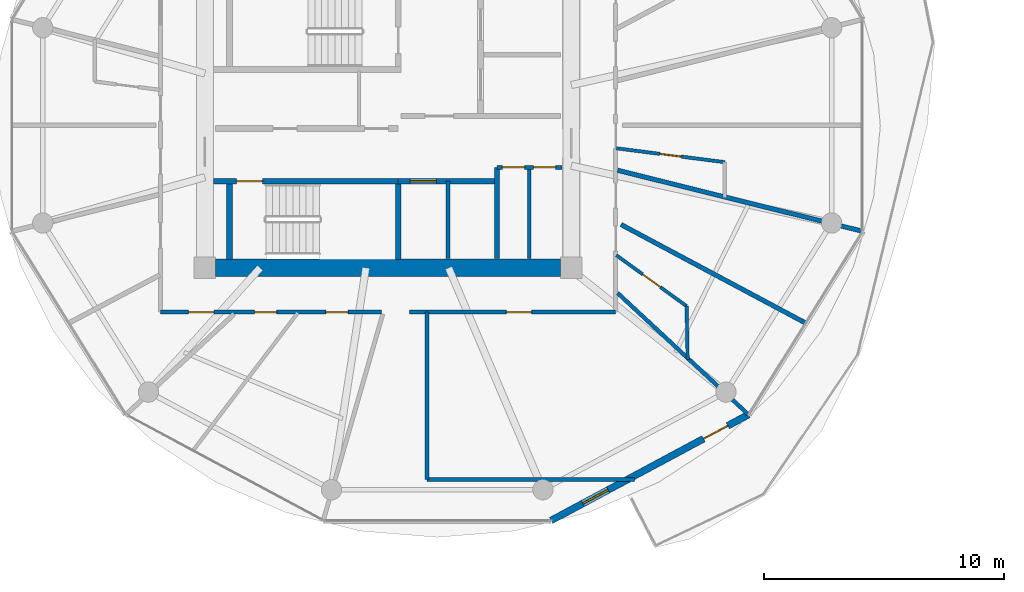
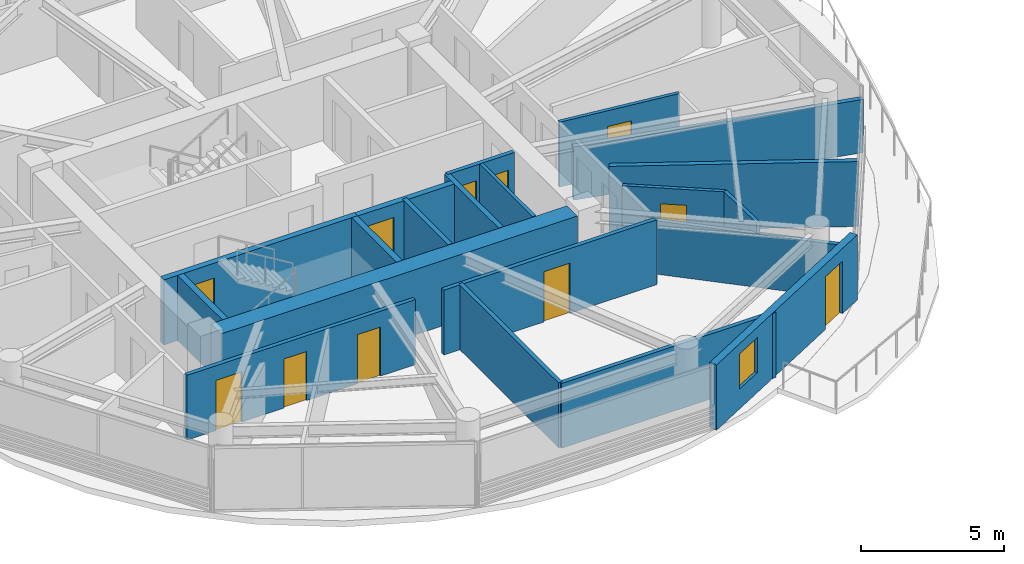
# One storey, part 13 of 22: 20 walls, 11 doors, 1 window, 12 openings.
"""IFC4 building model written with IfcOpenShell, lengths in metres."""

from ifc_helpers import new_model, si_unit, direction, frame, frame_2d, origin, place, context, subcontext, project, spatial, rectangle, extrude, source, transform, mapped, material, layer, layer_set, type_object, type_shapes, element, fill, save


model = new_model("IFC4")

# Units and contexts
model_context = context("Model", 3, precision=1e-05, world=origin(), true_north=direction((0.0, 1.0)))
body_context = subcontext(model_context, "Body", "Model", "MODEL_VIEW")
ifc_project = project(units=[si_unit("LENGTHUNIT", "METRE"), si_unit("AREAUNIT", "SQUARE_METRE"), si_unit("VOLUMEUNIT", "CUBIC_METRE"), si_unit("PLANEANGLEUNIT", "RADIAN"), si_unit("MASSUNIT", "GRAM", prefix="KILO")], contexts=[model_context])

# Site, building, storey
site_placement = place(None, origin())
site = spatial("IfcSite", under=ifc_project, at=site_placement, CompositionType="ELEMENT")
building_placement = place(site_placement, origin())
building = spatial("IfcBuilding", under=site, at=building_placement, Name="Norrkilde Senior Care Towers", CompositionType="ELEMENT")
storey_placement = place(building_placement, frame((0.0, 0.0, 123.699951171875)))
storey = spatial("IfcBuildingStorey", under=building, at=storey_placement, Name="L38", CompositionType="ELEMENT", Elevation=123.699951171875)

# Wall
ifc_material_1 = material(Name="Concrete C60/75", Category="concrete")
ifc_layer_1 = layer(ifc_material_1, 0.719970703125)
ifc_layer_set_1 = layer_set([ifc_layer_1], Name="Concrete C60/75")
wall_type_1 = type_object("IfcWallType", Name="Core Shear Wall Z2 720", PredefinedType="SHEAR", material=ifc_layer_set_1)
shared_shape_1 = source(origin(), body_context, "Body", "SweptSolid", [
    extrude(rectangle(XDim=14.39990234375, YDim=0.719970703125, at=frame_2d((7.199951171875, 0.0))), origin(), (0.0, 0.0, 1.0), 2.7900390625),
])
type_shapes(wall_type_1, [shared_shape_1])
wall_1_placement = place(storey_placement, frame((-20.800048828125, -5.949951171875, 0.0), z_axis=(0.0, 0.0, 1.0), x_axis=(-1.0, 0.0, 0.0)))
element("IfcWall", 1, at=wall_1_placement, inside=storey, type_object=wall_type_1, Name="L38 Core W South Shear Wall", PredefinedType="SHEAR", context=body_context, shape_type="MappedRepresentation", body=[
    mapped(shared_shape_1, transform((0.0, 0.0, 0.0), x_axis=(1.0, 0.0, 0.0), y_axis=(0.0, 1.0, 0.0), z_axis=(0.0, 0.0, 1.0), scale=1.0)),
])

# Wall, openings, door, window
ifc_material_2 = material(Name="Precast concrete C45/55", Category="concrete")
ifc_layer_2 = layer(ifc_material_2, 0.2900390625)
ifc_layer_set_2 = layer_set([ifc_layer_2], Name="Precast concrete C45/55")
wall_type_2 = type_object("IfcWallType", Name="Winter Garden Facade Wall 290", PredefinedType="SOLIDWALL", material=ifc_layer_set_2)
shared_shape_2 = source(origin(), body_context, "Body", "SweptSolid", [
    extrude(rectangle(XDim=9.3505859375, YDim=0.2900390625, at=frame_2d((4.67529296875, 0.0))), origin(), (0.0, 0.0, 1.0), 2.7900390625),
])
type_shapes(wall_type_2, [shared_shape_2])
wall_2_placement = place(storey_placement, frame((-12.953369140625, -12.077392578125, 0.0), z_axis=(0.0, 0.0, 1.0), x_axis=(-0.881184411073, -0.472772708267, 0.0)))
wall_2 = element("IfcWall", 2, at=wall_2_placement, inside=storey, type_object=wall_type_2, Name="L38 Drum W Balcony Access Wall 09", PredefinedType="SOLIDWALL", context=body_context, shape_type="MappedRepresentation", body=[
    mapped(shared_shape_2, transform((0.0, 0.0, 0.0), x_axis=(1.0, 0.0, 0.0), y_axis=(0.0, 1.0, 0.0), z_axis=(0.0, 0.0, 1.0), scale=1.0)),
])
opening_1_placement = place(wall_2_placement, frame((0.97998046875, 0.0, 0.0)))
opening_1 = element("IfcOpeningElement", 3, at=opening_1_placement, cuts=wall_2, Name="Opening D-09", PredefinedType="OPENING", context=body_context, shape_type="SweptSolid", body=[
    extrude(rectangle(XDim=1.14990234375, YDim=2.25, at=frame_2d((0.574951171875, 1.125))), frame((0.0, 0.155029296875, 0.0), z_axis=(0.0, -1.0, 0.0), x_axis=(1.0, 0.0, 0.0)), (0.0, 0.0, 1.0), 0.31005859375),
])
opening_2_placement = place(wall_2_placement, frame((6.645263671875, 0.0, 0.85009765625)))
opening_2 = element("IfcOpeningElement", 4, at=opening_2_placement, cuts=wall_2, Name="Opening WN-07", PredefinedType="OPENING", context=body_context, shape_type="SweptSolid", body=[
    extrude(rectangle(XDim=1.199951171875, YDim=1.5, at=frame_2d((0.60009765625, 0.75))), frame((0.0, 0.155029296875, 0.0), z_axis=(0.0, -1.0, 0.0), x_axis=(1.0, 0.0, 0.0)), (0.0, 0.0, 1.0), 0.31005859375),
])
ifc_material_3 = material(Name="Anodised Aluminium", Category="aluminium")
door_type_1 = type_object("IfcDoorType", Name="Terrace and Balcony Glazed Door 1150x2250", OperationType="NOTDEFINED", PredefinedType="DOOR", material=ifc_material_3)
shared_shape_3 = source(origin(), body_context, "Body", "SweptSolid", [
    extrude(rectangle(XDim=1.14990234375, YDim=2.25, at=frame_2d((0.574951171875, 1.125))), frame((0.0, 0.02490234375, 0.0), z_axis=(0.0, -1.0, 0.0), x_axis=(1.0, 0.0, 0.0)), (0.0, 0.0, 1.0), 0.050048828125),
])
type_shapes(door_type_1, [shared_shape_3])
door_1_placement = place(opening_1_placement, origin())
door_1 = element("IfcDoor", 5, at=door_1_placement, inside=storey, type_object=door_type_1, Name="L38 Drum W Outdoor Terrace Door 09", OperationType="SINGLE_SWING_RIGHT", OverallHeight=2.25, OverallWidth=1.14990234375, PredefinedType="DOOR", context=body_context, shape_type="MappedRepresentation", body=[
    mapped(shared_shape_3, transform((0.0, 0.0, 0.0), x_axis=(1.0, 0.0, 0.0), y_axis=(0.0, 1.0, 0.0), z_axis=(0.0, 0.0, 1.0), scale=1.0)),
])
fill(opening_1, door_1)
ifc_material_4 = material(Name="Triple Low-E Insulated Glazing", Category="glass")
window_type = type_object("IfcWindowType", Name="Stairwell Smoke Vent Window 1200x1500", PartitioningType="SINGLE_PANEL", PredefinedType="WINDOW", material=ifc_material_4)
shared_shape_4 = source(origin(), body_context, "Body", "SweptSolid", [
    extrude(rectangle(XDim=1.199951171875, YDim=1.5, at=frame_2d((0.60009765625, 0.75))), frame((0.0, 0.030029296875, 0.0), z_axis=(0.0, -1.0, 0.0), x_axis=(1.0, 0.0, 0.0)), (0.0, 0.0, 1.0), 0.06005859375),
])
type_shapes(window_type, [shared_shape_4])
window_placement = place(opening_2_placement, origin())
window = element("IfcWindow", 6, at=window_placement, inside=storey, type_object=window_type, Name="L38 Drum W Winter Garden Window 09", OverallHeight=1.5, OverallWidth=1.199951171875, PartitioningType="SINGLE_PANEL", PredefinedType="WINDOW", context=body_context, shape_type="MappedRepresentation", body=[
    mapped(shared_shape_4, transform((0.0, 0.0, 0.0), x_axis=(1.0, 0.0, 0.0), y_axis=(0.0, 1.0, 0.0), z_axis=(0.0, 0.0, 1.0), scale=1.0)),
])
fill(opening_2, window)

# Wall
ifc_material_5 = material(Name="Concrete C45/55", Category="concrete")
ifc_layer_3 = layer(ifc_material_5, 0.199951171875)
ifc_layer_set_3 = layer_set([ifc_layer_3], Name="Concrete C45/55")
wall_type_3 = type_object("IfcWallType", Name="Shaft Division and Plant Partition 200", PredefinedType="PARTITIONING", material=ifc_layer_set_3)
shared_shape_5 = source(origin(), body_context, "Body", "SweptSolid", [
    extrude(rectangle(XDim=3.800048828125, YDim=0.199951171875, at=frame_2d((1.89990234375, 0.0))), origin(), (0.0, 0.0, 1.0), 2.775146484375),
])
type_shapes(wall_type_3, [shared_shape_5])
wall_3_placement = place(storey_placement, frame((-23.449951171875, -5.550048828125, 0.0), z_axis=(0.0, 0.0, 1.0), x_axis=(0.0, 1.0, 0.0)))
element("IfcWall", 7, at=wall_3_placement, inside=storey, type_object=wall_type_3, Name="WL-INT-L38-W-PKBE", PredefinedType="PARTITIONING", context=body_context, shape_type="MappedRepresentation", body=[
    mapped(shared_shape_5, transform((0.0, 0.0, 0.0), x_axis=(1.0, 0.0, 0.0), y_axis=(0.0, 1.0, 0.0), z_axis=(0.0, 0.0, 1.0), scale=1.0)),
])

# Wall, opening, door
ifc_layer_4 = layer(ifc_material_5, 0.239990234375)
ifc_layer_set_4 = layer_set([ifc_layer_4], Name="Concrete C45/55")
wall_type_4 = type_object("IfcWallType", Name="Lift and Plant Rated Enclosure Partition 240", PredefinedType="PARTITIONING", material=ifc_layer_set_4)
shared_shape_6 = source(origin(), body_context, "Body", "SweptSolid", [
    extrude(rectangle(XDim=4.130126953125, YDim=0.239990234375, at=frame_2d((2.06494140625, 0.0))), origin(), (0.0, 0.0, 1.0), 2.775146484375),
])
type_shapes(wall_type_4, [shared_shape_6])
wall_4_placement = place(storey_placement, frame((-27.580078125, -2.330078125, 0.0), z_axis=(0.0, 0.0, 1.0), x_axis=(1.0, 0.0, 0.0)))
wall_4 = element("IfcWall", 8, at=wall_4_placement, inside=storey, type_object=wall_type_4, Name="WL-INT-L38-W-PKBN", PredefinedType="PARTITIONING", context=body_context, shape_type="MappedRepresentation", body=[
    mapped(shared_shape_6, transform((0.0, 0.0, 0.0), x_axis=(1.0, 0.0, 0.0), y_axis=(0.0, 1.0, 0.0), z_axis=(0.0, 0.0, 1.0), scale=1.0)),
])
opening_3_placement = place(wall_4_placement, frame((0.5, 0.0, 0.0)))
opening_3 = element("IfcOpeningElement", 9, at=opening_3_placement, cuts=wall_4, Name="Opening LD-01", PredefinedType="OPENING", context=body_context, shape_type="SweptSolid", body=[
    extrude(rectangle(XDim=1.10009765625, YDim=2.199951171875, at=frame_2d((0.550048828125, 1.10009765625))), frame((0.0, 0.1298828125, 0.0), z_axis=(0.0, -1.0, 0.0), x_axis=(1.0, 0.0, 0.0)), (0.0, 0.0, 1.0), 0.260009765625),
])
ifc_material_6 = material(Name="Stainless Steel", Category="steel")
door_type_2 = type_object("IfcDoorType", Name="Lift Landing Sliding Door 1100x2200", OperationType="NOTDEFINED", PredefinedType="DOOR", material=ifc_material_6)
shared_shape_7 = source(origin(), body_context, "Body", "SweptSolid", [
    extrude(rectangle(XDim=1.10009765625, YDim=2.199951171875, at=frame_2d((0.550048828125, 1.10009765625))), frame((0.0, 0.02490234375, 0.0), z_axis=(0.0, -1.0, 0.0), x_axis=(1.0, 0.0, 0.0)), (0.0, 0.0, 1.0), 0.050048828125),
])
type_shapes(door_type_2, [shared_shape_7])
door_2_placement = place(opening_3_placement, frame((1.10009765625, 0.0, 0.0), z_axis=(0.0, 0.0, 1.0), x_axis=(-1.0, 0.0, 0.0)))
door_2 = element("IfcDoor", 10, at=door_2_placement, inside=storey, type_object=door_type_2, Name="L38 Passenger Lift W3 Landing Door", OperationType="SLIDING_TO_LEFT", OverallHeight=2.199951171875, OverallWidth=1.10009765625, PredefinedType="DOOR", context=body_context, shape_type="MappedRepresentation", body=[
    mapped(shared_shape_7, transform((0.0, 0.0, 0.0), x_axis=(1.0, 0.0, 0.0), y_axis=(0.0, 1.0, 0.0), z_axis=(0.0, 0.0, 1.0), scale=1.0)),
])
fill(opening_3, door_2)

# Wall
ifc_layer_5 = layer(ifc_material_5, 0.179931640625)
ifc_layer_set_5 = layer_set([ifc_layer_5], Name="Concrete C45/55")
wall_type_5 = type_object("IfcWallType", Name="Hoistway Division Rated Partition 180", PredefinedType="PARTITIONING", material=ifc_layer_set_5)
shared_shape_8 = source(origin(), body_context, "Body", "SweptSolid", [
    extrude(rectangle(XDim=3.219970703125, YDim=0.179931640625, at=frame_2d((1.60986328125, 0.0))), origin(), (0.0, 0.0, 1.0), 2.775146484375),
])
type_shapes(wall_type_5, [shared_shape_8])
wall_5_placement = place(storey_placement, frame((-25.5, -5.550048828125, 0.0), z_axis=(0.0, 0.0, 1.0), x_axis=(0.0, 1.0, 0.0)))
element("IfcWall", 11, at=wall_5_placement, inside=storey, type_object=wall_type_5, Name="WL-INT-L38-W-PL34", PredefinedType="PARTITIONING", context=body_context, shape_type="MappedRepresentation", body=[
    mapped(shared_shape_8, transform((0.0, 0.0, 0.0), x_axis=(1.0, 0.0, 0.0), y_axis=(0.0, 1.0, 0.0), z_axis=(0.0, 0.0, 1.0), scale=1.0)),
])

# Wall, openings, doors
ifc_material_7 = material(Name="Gypsum Acoustic Board")
ifc_layer_6 = layer(ifc_material_7, 0.1650390625)
ifc_layer_set_6 = layer_set([ifc_layer_6], Name="Gypsum Acoustic Board")
wall_type_6 = type_object("IfcWallType", Name="Corridor Rated Partition 165", PredefinedType="PARTITIONING", material=ifc_layer_set_6)
shared_shape_9 = source(origin(), body_context, "Body", "SweptSolid", [
    extrude(rectangle(XDim=2.699951171875, YDim=0.1650390625, at=frame_2d((1.35009765625, 0.0))), origin(), (0.0, 0.0, 1.0), 2.775146484375),
])
wall_6_placement = place(storey_placement, frame((-23.449951171875, -1.75, 0.0), z_axis=(0.0, 0.0, 1.0), x_axis=(1.0, 0.0, 0.0)))
wall_6 = element("IfcWall", 12, at=wall_6_placement, inside=storey, type_object=wall_type_6, Name="WL-INT-L38-W-CSN", PredefinedType="PARTITIONING", context=body_context, shape_type="MappedRepresentation", body=[
    mapped(shared_shape_9, transform((0.0, 0.0, 0.0), x_axis=(1.0, 0.0, 0.0), y_axis=(0.0, 1.0, 0.0), z_axis=(0.0, 0.0, 1.0), scale=1.0)),
])
opening_4_placement = place(wall_6_placement, frame((0.222412109375, 0.0, 0.0)))
opening_4 = element("IfcOpeningElement", 13, at=opening_4_placement, cuts=wall_6, Name="Opening D-12", PredefinedType="OPENING", context=body_context, shape_type="SweptSolid", body=[
    extrude(rectangle(XDim=0.925048828125, YDim=2.10009765625, at=frame_2d((0.46240234375, 1.050048828125))), frame((0.0, 0.092529296875, 0.0), z_axis=(0.0, -1.0, 0.0), x_axis=(1.0, 0.0, 0.0)), (0.0, 0.0, 1.0), 0.18505859375),
])
opening_5_placement = place(wall_6_placement, frame((1.5224609375, 0.0, 0.0)))
opening_5 = element("IfcOpeningElement", 14, at=opening_5_placement, cuts=wall_6, Name="Opening D-12", PredefinedType="OPENING", context=body_context, shape_type="SweptSolid", body=[
    extrude(rectangle(XDim=0.925048828125, YDim=2.10009765625, at=frame_2d((0.46240234375, 1.050048828125))), frame((0.0, 0.092529296875, 0.0), z_axis=(0.0, -1.0, 0.0), x_axis=(1.0, 0.0, 0.0)), (0.0, 0.0, 1.0), 0.18505859375),
])
ifc_material_8 = material(Name="Galvanised Painted Steel", Category="steel")
door_type_3 = type_object("IfcDoorType", Name="Core Wet Room Rated Door 925x2100", OperationType="NOTDEFINED", PredefinedType="DOOR", material=ifc_material_8)
shared_shape_10 = source(origin(), body_context, "Body", "SweptSolid", [
    extrude(rectangle(XDim=0.925048828125, YDim=2.10009765625, at=frame_2d((0.46240234375, 1.050048828125))), frame((0.0, 0.02490234375, 0.0), z_axis=(0.0, -1.0, 0.0), x_axis=(1.0, 0.0, 0.0)), (0.0, 0.0, 1.0), 0.050048828125),
])
type_shapes(door_type_3, [shared_shape_10])
door_3_placement = place(opening_4_placement, origin())
door_3 = element("IfcDoor", 15, at=door_3_placement, inside=storey, type_object=door_type_3, Name="L38 Staff Accessible WC W Door", OperationType="SINGLE_SWING_LEFT", OverallHeight=2.10009765625, OverallWidth=0.925048828125, PredefinedType="DOOR", context=body_context, shape_type="MappedRepresentation", body=[
    mapped(shared_shape_10, transform((0.0, 0.0, 0.0), x_axis=(1.0, 0.0, 0.0), y_axis=(0.0, 1.0, 0.0), z_axis=(0.0, 0.0, 1.0), scale=1.0)),
])
fill(opening_4, door_3)
door_4_placement = place(opening_5_placement, origin())
door_4 = element("IfcDoor", 16, at=door_4_placement, inside=storey, type_object=door_type_3, Name="L38 Housekeeping Store W Door", OperationType="SINGLE_SWING_RIGHT", OverallHeight=2.10009765625, OverallWidth=0.925048828125, PredefinedType="DOOR", context=body_context, shape_type="MappedRepresentation", body=[
    mapped(shared_shape_10, transform((0.0, 0.0, 0.0), x_axis=(1.0, 0.0, 0.0), y_axis=(0.0, 1.0, 0.0), z_axis=(0.0, 0.0, 1.0), scale=1.0)),
])
fill(opening_5, door_4)

# Wall, opening, door
ifc_layer_7 = layer(ifc_material_5, 0.239990234375)
ifc_layer_set_7 = layer_set([ifc_layer_7], Name="Concrete C45/55")
wall_type_7 = type_object("IfcWallType", Name="Shaft and Stair Enclosure Wall 240", PredefinedType="PARTITIONING", material=ifc_layer_set_7)
shared_shape_11 = source(origin(), body_context, "Body", "SweptSolid", [
    extrude(rectangle(XDim=7.830078125, YDim=0.239990234375, at=frame_2d((3.9150390625, 0.0))), origin(), (0.0, 0.0, 1.0), 2.7900390625),
])
wall_7_placement = place(storey_placement, frame((-35.2900390625, -2.330078125, 0.0), z_axis=(0.0, 0.0, 1.0), x_axis=(1.0, 0.0, 0.0)))
wall_7 = element("IfcWall", 17, at=wall_7_placement, inside=storey, type_object=wall_type_7, Name="WL-INT-L38-W-ST2N", PredefinedType="PARTITIONING", context=body_context, shape_type="MappedRepresentation", body=[
    mapped(shared_shape_11, transform((0.0, 0.0, 0.0), x_axis=(1.0, 0.0, 0.0), y_axis=(0.0, 1.0, 0.0), z_axis=(0.0, 0.0, 1.0), scale=1.0)),
])
opening_6_placement = place(wall_7_placement, frame((0.949951171875, 0.0, 0.0)))
opening_6 = element("IfcOpeningElement", 18, at=opening_6_placement, cuts=wall_7, Name="Opening D-03", PredefinedType="OPENING", context=body_context, shape_type="SweptSolid", body=[
    extrude(rectangle(XDim=1.10009765625, YDim=2.14990234375, at=frame_2d((0.550048828125, 1.074951171875))), frame((0.0, 0.1298828125, 0.0), z_axis=(0.0, -1.0, 0.0), x_axis=(1.0, 0.0, 0.0)), (0.0, 0.0, 1.0), 0.260009765625),
])
door_type_4 = type_object("IfcDoorType", Name="Stairwell Protected Fire Door 1100x2150", OperationType="NOTDEFINED", PredefinedType="DOOR", material=ifc_material_8)
shared_shape_12 = source(origin(), body_context, "Body", "SweptSolid", [
    extrude(rectangle(XDim=1.10009765625, YDim=2.14990234375, at=frame_2d((0.550048828125, 1.074951171875))), frame((0.0, 0.02490234375, 0.0), z_axis=(0.0, -1.0, 0.0), x_axis=(1.0, 0.0, 0.0)), (0.0, 0.0, 1.0), 0.050048828125),
])
type_shapes(door_type_4, [shared_shape_12])
door_5_placement = place(opening_6_placement, frame((1.10009765625, 0.0, 0.0), z_axis=(0.0, 0.0, 1.0), x_axis=(-1.0, 0.0, 0.0)))
door_5 = element("IfcDoor", 19, at=door_5_placement, inside=storey, type_object=door_type_4, Name="L38 Stair W2 Fire Door", OperationType="SINGLE_SWING_RIGHT", OverallHeight=2.14990234375, OverallWidth=1.10009765625, PredefinedType="DOOR", context=body_context, shape_type="MappedRepresentation", body=[
    mapped(shared_shape_12, transform((0.0, 0.0, 0.0), x_axis=(1.0, 0.0, 0.0), y_axis=(0.0, 1.0, 0.0), z_axis=(0.0, 0.0, 1.0), scale=1.0)),
])
fill(opening_6, door_5)

# Walls
shared_shape_13 = source(origin(), body_context, "Body", "SweptSolid", [
    extrude(rectangle(XDim=3.14013671875, YDim=0.239990234375, at=frame_2d((1.570068359375, 0.0))), origin(), (0.0, 0.0, 1.0), 2.7900390625),
])
type_shapes(wall_type_7, [shared_shape_11, shared_shape_13])
for number, where, z_axis, x_axis, name in (
    (20, (-34.6201171875, -5.590087890625, 0.0), (0.0, 0.0, 1.0), (0.0, 1.0, 0.0), "WL-INT-L38-W-ST2W"),
    (21, (-27.580078125, -5.590087890625, 0.0), (0.0, 0.0, 1.0), (0.0, 1.0, 0.0), "WL-INT-L38-W-ST2E"),
):
    element("IfcWall", number, at=place(storey_placement, frame(where, z_axis=z_axis, x_axis=x_axis)), inside=storey, type_object=wall_type_7, Name=name, PredefinedType="PARTITIONING", context=body_context, shape_type="MappedRepresentation", body=[
        mapped(shared_shape_13, transform((0.0, 0.0, 0.0), x_axis=(1.0, 0.0, 0.0), y_axis=(0.0, 1.0, 0.0), z_axis=(0.0, 0.0, 1.0), scale=1.0)),
    ])
ifc_layer_8 = layer(ifc_material_7, 0.18994140625)
ifc_layer_set_8 = layer_set([ifc_layer_8], Name="Gypsum Acoustic Board")
wall_type_8 = type_object("IfcWallType", Name="Unit Demising Acoustic Wall 190", PredefinedType="PARTITIONING", material=ifc_layer_set_8)
shared_shape_14 = source(origin(), body_context, "Body", "SweptSolid", [
    extrude(rectangle(XDim=10.5556640625, YDim=0.18994140625, at=frame_2d((5.27783203125, 0.0))), origin(), (0.0, 0.0, 1.0), 2.275146484375),
])
wall_8_placement = place(storey_placement, frame((-18.419921875, -1.875, 0.0), z_axis=(0.0, 0.0, 1.0), x_axis=(0.970363857851, -0.241648470667, 0.0)))
element("IfcWall", 22, at=wall_8_placement, inside=storey, type_object=wall_type_8, Name="WL-INT-L38-W-DEM-11-0", PredefinedType="PARTITIONING", context=body_context, shape_type="MappedRepresentation", body=[
    mapped(shared_shape_14, transform((0.0, 0.0, 0.0), x_axis=(1.0, 0.0, 0.0), y_axis=(0.0, 1.0, 0.0), z_axis=(0.0, 0.0, 1.0), scale=1.0)),
])
ifc_layer_9 = layer(ifc_material_7, 0.139892578125)
ifc_layer_set_9 = layer_set([ifc_layer_9], Name="Gypsum Acoustic Board")
wall_type_9 = type_object("IfcWallType", Name="En-suite Wet Room Wall 140", PredefinedType="PARTITIONING", material=ifc_layer_set_9)
shared_shape_15 = source(origin(), body_context, "Body", "SweptSolid", [
    extrude(rectangle(XDim=3.800048828125, YDim=0.139892578125, at=frame_2d((1.89990234375, 0.0))), origin(), (0.0, 0.0, 1.0), 2.775146484375),
])
wall_9_placement = place(storey_placement, frame((-22.10009765625, -5.550048828125, 0.0), z_axis=(0.0, 0.0, 1.0), x_axis=(0.0, 1.0, 0.0)))
element("IfcWall", 23, at=wall_9_placement, inside=storey, type_object=wall_type_9, Name="WL-INT-L38-W-CS1V", PredefinedType="PARTITIONING", context=body_context, shape_type="MappedRepresentation", body=[
    mapped(shared_shape_15, transform((0.0, 0.0, 0.0), x_axis=(1.0, 0.0, 0.0), y_axis=(0.0, 1.0, 0.0), z_axis=(0.0, 0.0, 1.0), scale=1.0)),
])

# Wall, opening, door
shared_shape_16 = source(origin(), body_context, "Body", "SweptSolid", [
    extrude(rectangle(XDim=8.60009765625, YDim=0.1650390625, at=frame_2d((4.300048828125, 0.0))), origin(), (0.0, 0.0, 1.0), 2.775146484375),
])
wall_10_placement = place(storey_placement, frame((-18.5, -7.800048828125, 0.0), z_axis=(0.0, 0.0, 1.0), x_axis=(-1.0, 0.0, 0.0)))
wall_10 = element("IfcWall", 24, at=wall_10_placement, inside=storey, type_object=wall_type_6, Name="WL-INT-L38-W-CRW-S-0", PredefinedType="PARTITIONING", context=body_context, shape_type="MappedRepresentation", body=[
    mapped(shared_shape_16, transform((0.0, 0.0, 0.0), x_axis=(1.0, 0.0, 0.0), y_axis=(0.0, 1.0, 0.0), z_axis=(0.0, 0.0, 1.0), scale=1.0)),
])
opening_7_placement = place(wall_10_placement, frame((3.509033203125, 0.0, 0.0)))
opening_7 = element("IfcOpeningElement", 25, at=opening_7_placement, cuts=wall_10, Name="Opening D-06", PredefinedType="OPENING", context=body_context, shape_type="SweptSolid", body=[
    extrude(rectangle(XDim=1.050048828125, YDim=2.14990234375, at=frame_2d((0.52490234375, 1.074951171875))), frame((0.0, 0.092529296875, 0.0), z_axis=(0.0, -1.0, 0.0), x_axis=(1.0, 0.0, 0.0)), (0.0, 0.0, 1.0), 0.18505859375),
])
ifc_material_9 = material(Name="Nordic Ash Timber", Category="wood")
door_type_5 = type_object("IfcDoorType", Name="Apartment Entrance Fire Door 1050x2150", OperationType="NOTDEFINED", PredefinedType="DOOR", material=ifc_material_9)
shared_shape_17 = source(origin(), body_context, "Body", "SweptSolid", [
    extrude(rectangle(XDim=1.050048828125, YDim=2.14990234375, at=frame_2d((0.52490234375, 1.074951171875))), frame((0.0, 0.02490234375, 0.0), z_axis=(0.0, -1.0, 0.0), x_axis=(1.0, 0.0, 0.0)), (0.0, 0.0, 1.0), 0.050048828125),
])
type_shapes(door_type_5, [shared_shape_17])
door_6_placement = place(opening_7_placement, frame((1.050048828125, 0.0, 0.0), z_axis=(0.0, 0.0, 1.0), x_axis=(-1.0, 0.0, 0.0)))
door_6 = element("IfcDoor", 26, at=door_6_placement, inside=storey, type_object=door_type_5, Name="L38 Reading Lounge SEL Door", OperationType="SINGLE_SWING_RIGHT", OverallHeight=2.14990234375, OverallWidth=1.050048828125, PredefinedType="DOOR", context=body_context, shape_type="MappedRepresentation", body=[
    mapped(shared_shape_17, transform((0.0, 0.0, 0.0), x_axis=(1.0, 0.0, 0.0), y_axis=(0.0, 1.0, 0.0), z_axis=(0.0, 0.0, 1.0), scale=1.0)),
])
fill(opening_7, door_6)

# Wall, openings, doors
shared_shape_18 = source(origin(), body_context, "Body", "SweptSolid", [
    extrude(rectangle(XDim=9.234130859375, YDim=0.1650390625, at=frame_2d((4.6171875, 0.0))), origin(), (0.0, 0.0, 1.0), 2.775146484375),
])
wall_11_placement = place(storey_placement, frame((-28.265869140625, -7.800048828125, 0.0), z_axis=(0.0, 0.0, 1.0), x_axis=(-1.0, 0.0, 0.0)))
wall_11 = element("IfcWall", 27, at=wall_11_placement, inside=storey, type_object=wall_type_6, Name="WL-INT-L38-W-CRW-S-1", PredefinedType="PARTITIONING", context=body_context, shape_type="MappedRepresentation", body=[
    mapped(shared_shape_18, transform((0.0, 0.0, 0.0), x_axis=(1.0, 0.0, 0.0), y_axis=(0.0, 1.0, 0.0), z_axis=(0.0, 0.0, 1.0), scale=1.0)),
])
opening_8_placement = place(wall_11_placement, frame((7.009033203125, 0.0, 0.0)))
opening_8 = element("IfcOpeningElement", 28, at=opening_8_placement, cuts=wall_11, Name="Opening D-06", PredefinedType="OPENING", context=body_context, shape_type="SweptSolid", body=[
    extrude(rectangle(XDim=1.050048828125, YDim=2.14990234375, at=frame_2d((0.52490234375, 1.074951171875))), frame((0.0, 0.092529296875, 0.0), z_axis=(0.0, -1.0, 0.0), x_axis=(1.0, 0.0, 0.0)), (0.0, 0.0, 1.0), 0.18505859375),
])
opening_9_placement = place(wall_11_placement, frame((4.39208984375, 0.0, 0.0)))
opening_9 = element("IfcOpeningElement", 29, at=opening_9_placement, cuts=wall_11, Name="Opening D-08", PredefinedType="OPENING", context=body_context, shape_type="SweptSolid", body=[
    extrude(rectangle(XDim=0.919921875, YDim=2.10009765625, at=frame_2d((0.4599609375, 1.050048828125))), frame((0.0, 0.092529296875, 0.0), z_axis=(0.0, -1.0, 0.0), x_axis=(1.0, 0.0, 0.0)), (0.0, 0.0, 1.0), 0.18505859375),
])
opening_10_placement = place(wall_11_placement, frame((1.407958984375, 0.0, 0.0)))
opening_10 = element("IfcOpeningElement", 30, at=opening_10_placement, cuts=wall_11, Name="Opening D-08", PredefinedType="OPENING", context=body_context, shape_type="SweptSolid", body=[
    extrude(rectangle(XDim=0.919921875, YDim=2.10009765625, at=frame_2d((0.4599609375, 1.050048828125))), frame((0.0, 0.092529296875, 0.0), z_axis=(0.0, -1.0, 0.0), x_axis=(1.0, 0.0, 0.0)), (0.0, 0.0, 1.0), 0.18505859375),
])
door_type_6 = type_object("IfcDoorType", Name="Accessible Wet Room Door 920x2100", OperationType="NOTDEFINED", PredefinedType="DOOR", material=ifc_material_9)
shared_shape_19 = source(origin(), body_context, "Body", "SweptSolid", [
    extrude(rectangle(XDim=0.919921875, YDim=2.10009765625, at=frame_2d((0.4599609375, 1.050048828125))), frame((0.0, 0.02490234375, 0.0), z_axis=(0.0, -1.0, 0.0), x_axis=(1.0, 0.0, 0.0)), (0.0, 0.0, 1.0), 0.050048828125),
])
type_shapes(door_type_6, [shared_shape_19])
door_7_placement = place(opening_9_placement, frame((0.919921875, 0.0, 0.0), z_axis=(0.0, 0.0, 1.0), x_axis=(-1.0, 0.0, 0.0)))
door_7 = element("IfcDoor", 31, at=door_7_placement, inside=storey, type_object=door_type_6, Name="L38 Accessible Restroom Door", OperationType="SINGLE_SWING_RIGHT", OverallHeight=2.10009765625, OverallWidth=0.919921875, PredefinedType="DOOR", context=body_context, shape_type="MappedRepresentation", body=[
    mapped(shared_shape_19, transform((0.0, 0.0, 0.0), x_axis=(1.0, 0.0, 0.0), y_axis=(0.0, 1.0, 0.0), z_axis=(0.0, 0.0, 1.0), scale=1.0)),
])
fill(opening_9, door_7)
door_8_placement = place(opening_10_placement, frame((0.919921875, 0.0, 0.0), z_axis=(0.0, 0.0, 1.0), x_axis=(-1.0, 0.0, 0.0)))
door_8 = element("IfcDoor", 32, at=door_8_placement, inside=storey, type_object=door_type_6, Name="L38 Public Restroom Door", OperationType="SINGLE_SWING_LEFT", OverallHeight=2.10009765625, OverallWidth=0.919921875, PredefinedType="DOOR", context=body_context, shape_type="MappedRepresentation", body=[
    mapped(shared_shape_19, transform((0.0, 0.0, 0.0), x_axis=(1.0, 0.0, 0.0), y_axis=(0.0, 1.0, 0.0), z_axis=(0.0, 0.0, 1.0), scale=1.0)),
])
fill(opening_10, door_8)
door_9_placement = place(opening_8_placement, frame((1.050048828125, 0.0, 0.0), z_axis=(0.0, 0.0, 1.0), x_axis=(-1.0, 0.0, 0.0)))
door_9 = element("IfcDoor", 33, at=door_9_placement, inside=storey, type_object=door_type_5, Name="L38 Assessment Clinic 6B Door", OperationType="SINGLE_SWING_RIGHT", OverallHeight=2.14990234375, OverallWidth=1.050048828125, PredefinedType="DOOR", context=body_context, shape_type="MappedRepresentation", body=[
    mapped(shared_shape_17, transform((0.0, 0.0, 0.0), x_axis=(1.0, 0.0, 0.0), y_axis=(0.0, 1.0, 0.0), z_axis=(0.0, 0.0, 1.0), scale=1.0)),
])
fill(opening_8, door_9)

# Walls
shared_shape_20 = source(origin(), body_context, "Body", "SweptSolid", [
    extrude(rectangle(XDim=7.482177734375, YDim=0.1650390625, at=frame_2d((3.7412109375, 0.0))), origin(), (0.0, 0.0, 1.0), 2.275146484375),
])
wall_12_placement = place(storey_placement, frame((-18.419921875, -6.998046875, 0.0), z_axis=(0.0, 0.0, 1.0), x_axis=(0.732508698043, -0.680757671489, 0.0)))
element("IfcWall", 34, at=wall_12_placement, inside=storey, type_object=wall_type_6, Name="WL-INT-L38-W-DEM-10-0", PredefinedType="PARTITIONING", context=body_context, shape_type="MappedRepresentation", body=[
    mapped(shared_shape_20, transform((0.0, 0.0, 0.0), x_axis=(1.0, 0.0, 0.0), y_axis=(0.0, 1.0, 0.0), z_axis=(0.0, 0.0, 1.0), scale=1.0)),
])
shared_shape_21 = source(origin(), body_context, "Body", "SweptSolid", [
    extrude(rectangle(XDim=8.744384765625, YDim=0.18994140625, at=frame_2d((4.3720703125, 0.0))), origin(), (0.0, 0.0, 1.0), 2.775146484375),
])
type_shapes(wall_type_8, [shared_shape_14, shared_shape_21])
wall_13_placement = place(storey_placement, frame((-18.27294921875, -4.141845703125, 0.0), z_axis=(0.0, 0.0, 1.0), x_axis=(0.882252449936, -0.470776607938, 0.0)))
element("IfcWall", 35, at=wall_13_placement, inside=storey, type_object=wall_type_8, Name="WL-INT-L38-W-CMID-10", PredefinedType="PARTITIONING", context=body_context, shape_type="MappedRepresentation", body=[
    mapped(shared_shape_21, transform((0.0, 0.0, 0.0), x_axis=(1.0, 0.0, 0.0), y_axis=(0.0, 1.0, 0.0), z_axis=(0.0, 0.0, 1.0), scale=1.0)),
])

# Wall, opening, door
shared_shape_22 = source(origin(), body_context, "Body", "SweptSolid", [
    extrude(rectangle(XDim=3.621337890625, YDim=0.139892578125, at=frame_2d((1.810546875, 0.0))), origin(), (0.0, 0.0, 1.0), 2.775146484375),
])
wall_14_placement = place(storey_placement, frame((-18.469970703125, -5.421875, 0.0), z_axis=(0.0, 0.0, 1.0), x_axis=(0.80968252222, -0.586868139544, 0.0)))
wall_14 = element("IfcWall", 36, at=wall_14_placement, inside=storey, type_object=wall_type_9, Name="WL-INT-L38-W-ES-10A", PredefinedType="PARTITIONING", context=body_context, shape_type="MappedRepresentation", body=[
    mapped(shared_shape_22, transform((0.0, 0.0, 0.0), x_axis=(1.0, 0.0, 0.0), y_axis=(0.0, 1.0, 0.0), z_axis=(0.0, 0.0, 1.0), scale=1.0)),
])
opening_11_placement = place(wall_14_placement, frame((1.3505859375, 0.0, 0.0)))
opening_11 = element("IfcOpeningElement", 37, at=opening_11_placement, cuts=wall_14, Name="Opening D-08", PredefinedType="OPENING", context=body_context, shape_type="SweptSolid", body=[
    extrude(rectangle(XDim=0.919921875, YDim=2.10009765625, at=frame_2d((0.4599609375, 1.050048828125))), frame((0.0, 0.079833984375, 0.0), z_axis=(0.0, -1.0, 0.0), x_axis=(1.0, 0.0, 0.0)), (0.0, 0.0, 1.0), 0.159912109375),
])
door_10_placement = place(opening_11_placement, origin())
door_10 = element("IfcDoor", 38, at=door_10_placement, inside=storey, type_object=door_type_6, Name="L38 Care Suite 3810A Bathroom Door", OperationType="SINGLE_SWING_RIGHT", OverallHeight=2.10009765625, OverallWidth=0.919921875, PredefinedType="DOOR", context=body_context, shape_type="MappedRepresentation", body=[
    mapped(shared_shape_19, transform((0.0, 0.0, 0.0), x_axis=(1.0, 0.0, 0.0), y_axis=(0.0, 1.0, 0.0), z_axis=(0.0, 0.0, 1.0), scale=1.0)),
])
fill(opening_11, door_10)

# Wall
shared_shape_23 = source(origin(), body_context, "Body", "SweptSolid", [
    extrude(rectangle(XDim=2.224853515625, YDim=0.139892578125, at=frame_2d((1.1123046875, 0.0))), origin(), (0.0, 0.0, 1.0), 2.775146484375),
])
wall_15_placement = place(storey_placement, frame((-15.537841796875, -7.547119140625, 0.0), z_axis=(0.0, 0.0, 1.0), x_axis=(0.019971869027, -0.999800542332, 0.0)))
element("IfcWall", 39, at=wall_15_placement, inside=storey, type_object=wall_type_9, Name="WL-INT-L38-W-EF-10A", PredefinedType="PARTITIONING", context=body_context, shape_type="MappedRepresentation", body=[
    mapped(shared_shape_23, transform((0.0, 0.0, 0.0), x_axis=(1.0, 0.0, 0.0), y_axis=(0.0, 1.0, 0.0), z_axis=(0.0, 0.0, 1.0), scale=1.0)),
])

# Wall, opening, door
shared_shape_24 = source(origin(), body_context, "Body", "SweptSolid", [
    extrude(rectangle(XDim=4.562255859375, YDim=0.139892578125, at=frame_2d((2.28125, 0.0))), origin(), (0.0, 0.0, 1.0), 2.775146484375),
])
type_shapes(wall_type_9, [shared_shape_15, shared_shape_22, shared_shape_23, shared_shape_24])
wall_16_placement = place(storey_placement, frame((-18.469970703125, -0.95751953125, 0.0), z_axis=(0.0, 0.0, 1.0), x_axis=(0.991904666356, -0.126984774129, 0.0)))
wall_16 = element("IfcWall", 40, at=wall_16_placement, inside=storey, type_object=wall_type_9, Name="WL-INT-L38-W-ES-11A", PredefinedType="PARTITIONING", context=body_context, shape_type="MappedRepresentation", body=[
    mapped(shared_shape_24, transform((0.0, 0.0, 0.0), x_axis=(1.0, 0.0, 0.0), y_axis=(0.0, 1.0, 0.0), z_axis=(0.0, 0.0, 1.0), scale=1.0)),
])
opening_12_placement = place(wall_16_placement, frame((1.8212890625, 0.0, 0.0)))
opening_12 = element("IfcOpeningElement", 41, at=opening_12_placement, cuts=wall_16, Name="Opening D-08", PredefinedType="OPENING", context=body_context, shape_type="SweptSolid", body=[
    extrude(rectangle(XDim=0.919921875, YDim=2.10009765625, at=frame_2d((0.4599609375, 1.050048828125))), frame((0.0, 0.079833984375, 0.0), z_axis=(0.0, -1.0, 0.0), x_axis=(1.0, 0.0, 0.0)), (0.0, 0.0, 1.0), 0.159912109375),
])
door_11_placement = place(opening_12_placement, origin())
door_11 = element("IfcDoor", 42, at=door_11_placement, inside=storey, type_object=door_type_6, Name="L38 Care Suite 3811A Bathroom Door", OperationType="SINGLE_SWING_LEFT", OverallHeight=2.10009765625, OverallWidth=0.919921875, PredefinedType="DOOR", context=body_context, shape_type="MappedRepresentation", body=[
    mapped(shared_shape_19, transform((0.0, 0.0, 0.0), x_axis=(1.0, 0.0, 0.0), y_axis=(0.0, 1.0, 0.0), z_axis=(0.0, 0.0, 1.0), scale=1.0)),
])
fill(opening_12, door_11)

# Walls
shared_shape_25 = source(origin(), body_context, "Body", "SweptSolid", [
    extrude(rectangle(XDim=6.989990234375, YDim=0.1650390625, at=frame_2d((3.4951171875, 0.0))), origin(), (0.0, 0.0, 1.0), 2.775146484375),
])
wall_17_placement = place(storey_placement, frame((-26.3798828125, -14.7900390625, 0.0), z_axis=(0.0, 0.0, 1.0), x_axis=(0.0, 1.0, 0.0)))
element("IfcWall", 43, at=wall_17_placement, inside=storey, type_object=wall_type_6, Name="WL-INT-L38-W-PKW-SEL", PredefinedType="PARTITIONING", context=body_context, shape_type="MappedRepresentation", body=[
    mapped(shared_shape_25, transform((0.0, 0.0, 0.0), x_axis=(1.0, 0.0, 0.0), y_axis=(0.0, 1.0, 0.0), z_axis=(0.0, 0.0, 1.0), scale=1.0)),
])
shared_shape_26 = source(origin(), body_context, "Body", "SweptSolid", [
    extrude(rectangle(XDim=8.66943359375, YDim=0.1650390625, at=frame_2d((4.334716796875, 0.0))), origin(), (0.0, 0.0, 1.0), 2.775146484375),
])
type_shapes(wall_type_6, [shared_shape_9, shared_shape_16, shared_shape_18, shared_shape_20, shared_shape_25, shared_shape_26])
wall_18_placement = place(storey_placement, frame((-26.3798828125, -14.7900390625, 0.0), z_axis=(0.0, 0.0, 1.0), x_axis=(1.0, 0.0, 0.0)))
element("IfcWall", 44, at=wall_18_placement, inside=storey, type_object=wall_type_6, Name="WL-INT-L38-W-PKH-SEL-0", PredefinedType="PARTITIONING", context=body_context, shape_type="MappedRepresentation", body=[
    mapped(shared_shape_26, transform((0.0, 0.0, 0.0), x_axis=(1.0, 0.0, 0.0), y_axis=(0.0, 1.0, 0.0), z_axis=(0.0, 0.0, 1.0), scale=1.0)),
])

save(model, "model.ifc")
